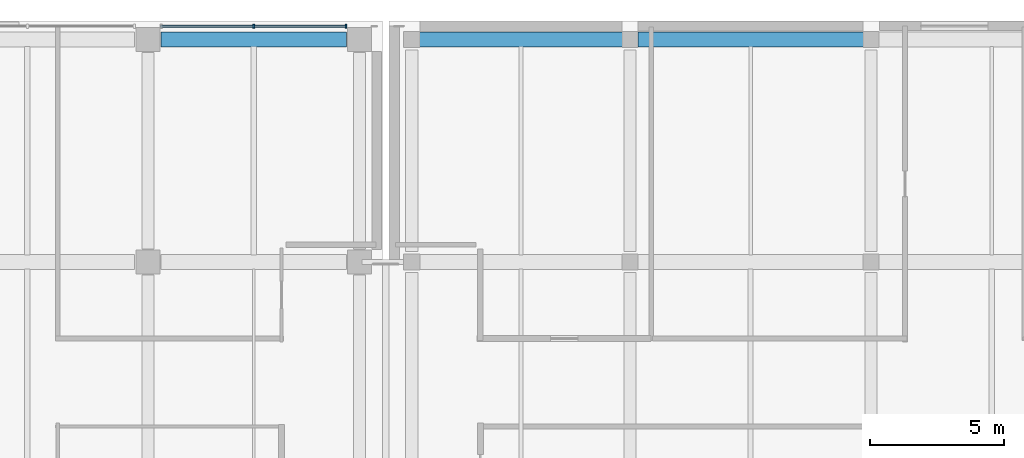
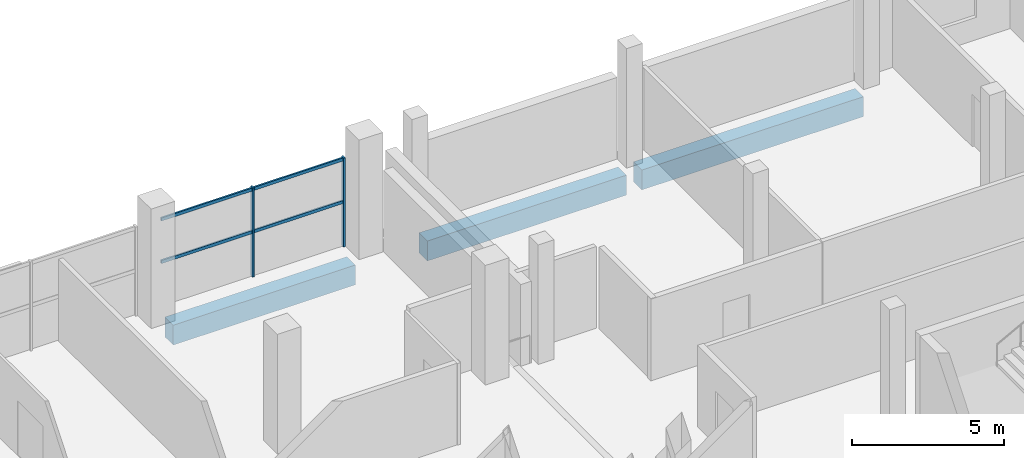
# One storey, part 41 of 100: 4 members, 3 beams, 1 element without a shape of its own.
"""IFC4 building model written with IfcOpenShell, lengths in metres."""

from ifc_helpers import new_model, si_unit, direction, frame, origin, origin_2d, place, context, subcontext, project, spatial, rectangle, extrude, material, material_profile, profile_set, type_object, element, aggregate, save


model = new_model("IFC4")

# Units and contexts
model_context = context("Model", 3, precision=1e-05, world=origin(), true_north=direction((0.0, 1.0)))
body_context = subcontext(model_context, "Body", "Model", "MODEL_VIEW")
ifc_project = project(units=[si_unit("LENGTHUNIT", "METRE"), si_unit("AREAUNIT", "SQUARE_METRE"), si_unit("VOLUMEUNIT", "CUBIC_METRE"), si_unit("PLANEANGLEUNIT", "RADIAN"), si_unit("MASSUNIT", "GRAM", prefix="KILO"), si_unit("THERMODYNAMICTEMPERATUREUNIT", "KELVIN"), si_unit("POWERUNIT", "WATT")], contexts=[model_context])

# Site, building, storey
site_placement = place(None, origin())
site = spatial("IfcSite", under=ifc_project, at=site_placement, CompositionType="ELEMENT")
building_placement = place(site_placement, origin())
building = spatial("IfcBuilding", under=site, at=building_placement, Name="Sindhuravela Promenade Stadium", CompositionType="ELEMENT")
storey_placement = place(building_placement, frame((0.0, 0.0, 4.800048828125)))
storey = spatial("IfcBuildingStorey", under=building, at=storey_placement, Name="L01", CompositionType="ELEMENT", Elevation=4.800048828125)

# Curtain wall, members
ifc_material_1 = material(Name="Anodised architectural aluminium 6063-T6", Category="aluminium")
curtain_wall_type = type_object("IfcCurtainWallType", Name="CW-MOD-8", PredefinedType="NOTDEFINED", material=ifc_material_1)
curtain_wall_placement = place(storey_placement, origin())
curtain_wall = element("IfcCurtainWall", 1, at=curtain_wall_placement, inside=storey, type_object=curtain_wall_type, Name="Bronze curtain wall CW-NORTH-L01-151", PredefinedType="NOTDEFINED")
ifc_material_profile_1 = material_profile(ifc_material_1, rectangle(XDim=0.06494140625, YDim=0.14990234375, at=origin_2d()), Name="ALU MULL 65x150")
ifc_profile_set_1 = profile_set([ifc_material_profile_1], Name="Anodised architectural aluminium 6063-T6")
member_type_1 = type_object("IfcMemberType", Name="CW-MUL-2", PredefinedType="MULLION", material=ifc_profile_set_1)
member_1_placement = place(storey_placement, frame((156.949951171875, 161.800048828125, 0.0), z_axis=(0.0, 0.0, 1.0), x_axis=(1.0, 0.0, 0.0)))
member_1 = element("IfcMember", 2, at=member_1_placement, type_object=member_type_1, Name="Curtain wall mullion CW-NORTH-L01-151-M2", PredefinedType="MULLION", context=body_context, shape_type="SweptSolid", body=[
    extrude(rectangle(XDim=0.06494140625, YDim=0.14990234375, at=origin_2d()), origin(), (0.0, 0.0, 1.0), 3.579833984375),
])
member_2_placement = place(storey_placement, frame((160.39990234375, 161.800048828125, 0.0), z_axis=(0.0, 0.0, 1.0), x_axis=(1.0, 0.0, 0.0)))
member_2 = element("IfcMember", 3, at=member_2_placement, type_object=member_type_1, Name="Curtain wall mullion CW-NORTH-L01-151-M3", PredefinedType="MULLION", context=body_context, shape_type="SweptSolid", body=[
    extrude(rectangle(XDim=0.06494140625, YDim=0.14990234375, at=origin_2d()), origin(), (0.0, 0.0, 1.0), 3.579833984375),
])
ifc_material_profile_2 = material_profile(ifc_material_1, rectangle(XDim=0.06494140625, YDim=0.125, at=origin_2d()), Name="ALU TRAN 65x125")
ifc_profile_set_2 = profile_set([ifc_material_profile_2], Name="Anodised architectural aluminium 6063-T6")
member_type_2 = type_object("IfcMemberType", Name="CW-TRN-2", PredefinedType="USERDEFINED", material=ifc_profile_set_2)
member_3_placement = place(storey_placement, frame((153.47509765625, 161.800048828125, 1.7900390625), z_axis=(1.0, 0.0, 0.0), x_axis=(0.0, 1.0, 0.0)))
member_3 = element("IfcMember", 4, at=member_3_placement, type_object=member_type_2, Name="Curtain wall transom CW-NORTH-L01-151-T1", ObjectType="TRANSOM", PredefinedType="USERDEFINED", context=body_context, shape_type="SweptSolid", body=[
    extrude(rectangle(XDim=0.06494140625, YDim=0.125, at=origin_2d()), origin(), (0.0, 0.0, 1.0), 6.949951171875),
])
member_4_placement = place(storey_placement, frame((153.47509765625, 161.800048828125, 3.5), z_axis=(1.0, 0.0, 0.0), x_axis=(0.0, 1.0, 0.0)))
member_4 = element("IfcMember", 5, at=member_4_placement, type_object=member_type_2, Name="Curtain wall transom CW-NORTH-L01-151-T2", ObjectType="TRANSOM", PredefinedType="USERDEFINED", context=body_context, shape_type="SweptSolid", body=[
    extrude(rectangle(XDim=0.06494140625, YDim=0.125, at=origin_2d()), origin(), (0.0, 0.0, 1.0), 6.949951171875),
])
aggregate(curtain_wall, [member_1, member_2, member_3, member_4])

# Beams
ifc_material_2 = material(Name="Concrete M40", Category="concrete")
ifc_material_profile_3 = material_profile(ifc_material_2, rectangle(XDim=0.550048828125, YDim=0.800048828125, at=origin_2d()), Name="RC 550x800")
ifc_profile_set_3 = profile_set([ifc_material_profile_3], Name="Concrete M40")
beam_type = type_object("IfcBeamType", Name="RC-BM-550x800", PredefinedType="BEAM", material=ifc_profile_set_3)
beam_1_placement = place(storey_placement, frame((153.489990234375, 161.300048828125, -0.699951171875), z_axis=(1.0, 0.0, 0.0), x_axis=(0.0, 1.0, 0.0)))
element("IfcBeam", 6, at=beam_1_placement, inside=storey, type_object=beam_type, Name="Primary girder GB05 NORTH L01", PredefinedType="BEAM", context=body_context, shape_type="SweptSolid", body=[
    extrude(rectangle(XDim=0.550048828125, YDim=0.800048828125, at=origin_2d()), origin(), (0.0, 0.0, 1.0), 6.919921875),
])
beam_2_placement = place(storey_placement, frame((163.139892578125, 161.300048828125, -0.699951171875), z_axis=(1.0, 0.0, 0.0), x_axis=(0.0, 1.0, 0.0)))
element("IfcBeam", 7, at=beam_2_placement, inside=storey, type_object=beam_type, Name="Primary girder GB05 Pavilion NE L01", PredefinedType="BEAM", context=body_context, shape_type="SweptSolid", body=[
    extrude(rectangle(XDim=0.550048828125, YDim=0.800048828125, at=origin_2d()), origin(), (0.0, 0.0, 1.0), 7.570068359375),
])
beam_3_placement = place(storey_placement, frame((171.2900390625, 161.300048828125, -0.699951171875), z_axis=(1.0, 0.0, 0.0), x_axis=(0.0, 1.0, 0.0)))
element("IfcBeam", 8, at=beam_3_placement, inside=storey, type_object=beam_type, Name="Primary girder GB05 Pavilion NE L01", PredefinedType="BEAM", context=body_context, shape_type="SweptSolid", body=[
    extrude(rectangle(XDim=0.550048828125, YDim=0.800048828125, at=origin_2d()), origin(), (0.0, 0.0, 1.0), 8.419921875),
])

save(model, "model.ifc")
